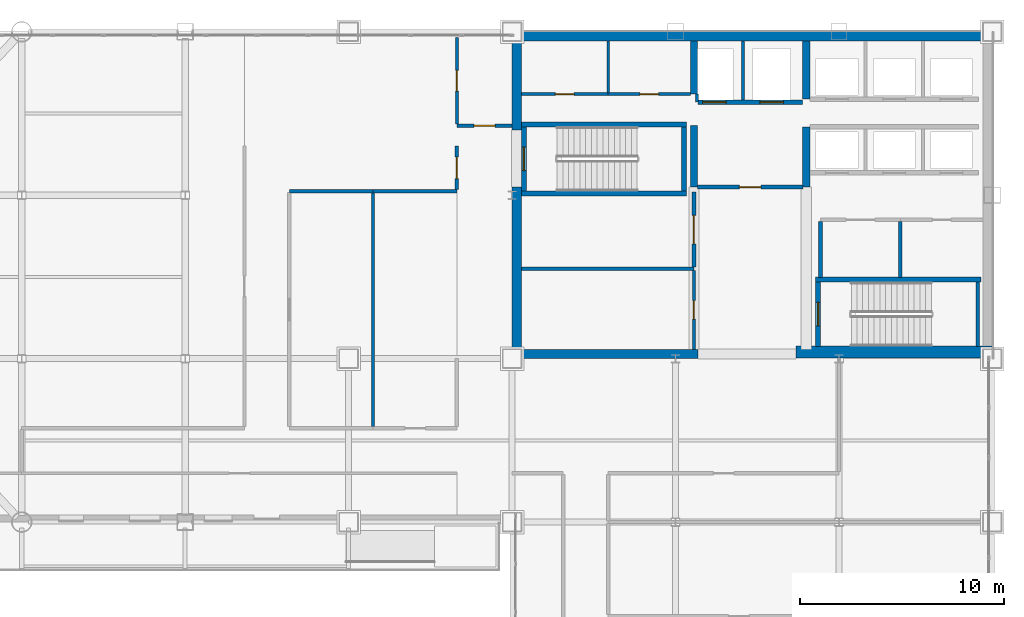
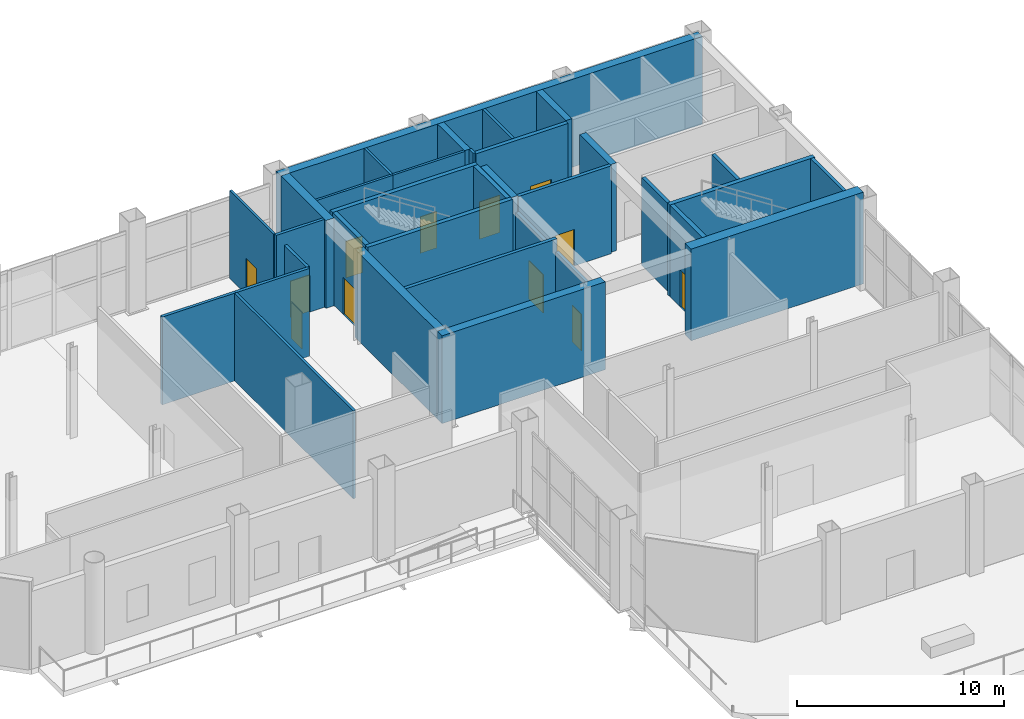
# One storey, part 18 of 21: 34 walls, 12 doors, 12 openings.
"""IFC4 building model written with IfcOpenShell, lengths in metres."""

from ifc_helpers import new_model, si_unit, direction, frame, frame_2d, origin, place, context, subcontext, project, spatial, rectangle, extrude, material, layer, layer_set, type_object, element, fill, save


model = new_model("IFC4")

# Units and contexts
model_context = context("Model", 3, precision=1e-05, world=origin(), true_north=direction((0.0, 1.0)))
body_context = subcontext(model_context, "Body", "Model", "MODEL_VIEW")
ifc_project = project(units=[si_unit("LENGTHUNIT", "METRE"), si_unit("AREAUNIT", "SQUARE_METRE"), si_unit("VOLUMEUNIT", "CUBIC_METRE"), si_unit("PLANEANGLEUNIT", "RADIAN"), si_unit("MASSUNIT", "GRAM", prefix="KILO")], contexts=[model_context])

# Site, building, storey
site_placement = place(None, origin())
site = spatial("IfcSite", under=ifc_project, at=site_placement, CompositionType="ELEMENT")
building_placement = place(site_placement, origin())
building = spatial("IfcBuilding", under=site, at=building_placement, Name="Qianrong Seaharbour Tower", CompositionType="ELEMENT")
storey_placement = place(building_placement, frame((0.0, 0.0, 200.39990234375)))
storey = spatial("IfcBuildingStorey", under=building, at=storey_placement, Name="L48", CompositionType="ELEMENT", Elevation=200.39990234375)

# Walls
ifc_material_1 = material(Name="Concrete C60/75", Category="concrete")
ifc_layer_1 = layer(ifc_material_1, 0.4599609375)
ifc_layer_set_1 = layer_set([ifc_layer_1], Name="Concrete C60/75")
wall_type_1 = type_object("IfcWallType", Name="WALL-CORE-460", PredefinedType="SHEAR", material=ifc_layer_set_1)
wall_1_placement = place(storey_placement, frame((40.5, 51.77001953125, 0.0), z_axis=(0.0, 0.0, 1.0), x_axis=(1.0, 0.0, 0.0)))
element("IfcWall", 1, at=wall_1_placement, inside=storey, type_object=wall_type_1, Name="L48 North Core Shear Wall", PredefinedType="SHEAR", context=body_context, shape_type="SweptSolid", body=[
    extrude(rectangle(XDim=23.5, YDim=0.4599609375, at=frame_2d((11.75, 0.0))), origin(), (0.0, 0.0, 1.0), 5.175048828125),
])
wall_2_placement = place(storey_placement, frame((40.72998046875, 36.4599609375, 0.0), z_axis=(0.0, 0.0, 1.0), x_axis=(0.0, 1.0, 0.0)))
element("IfcWall", 2, at=wall_2_placement, inside=storey, type_object=wall_type_1, Name="L48 West Core Shear Wall South", PredefinedType="SHEAR", context=body_context, shape_type="SweptSolid", body=[
    extrude(rectangle(XDim=7.93994140625, YDim=0.4599609375, at=frame_2d((3.969970703125, 0.0))), origin(), (0.0, 0.0, 1.0), 5.175048828125),
])
wall_3_placement = place(storey_placement, frame((40.72998046875, 47.199951171875, 0.0), z_axis=(0.0, 0.0, 1.0), x_axis=(0.0, 1.0, 0.0)))
element("IfcWall", 3, at=wall_3_placement, inside=storey, type_object=wall_type_1, Name="L48 West Core Shear Wall North", PredefinedType="SHEAR", context=body_context, shape_type="SweptSolid", body=[
    extrude(rectangle(XDim=4.340087890625, YDim=0.4599609375, at=frame_2d((2.169921875, 0.0))), origin(), (0.0, 0.0, 1.0), 5.175048828125),
])
wall_4_placement = place(storey_placement, frame((40.5, 36.22998046875, 0.0), z_axis=(0.0, 0.0, 1.0), x_axis=(1.0, 0.0, 0.0)))
element("IfcWall", 4, at=wall_4_placement, inside=storey, type_object=wall_type_1, Name="L48 South Core Shear Wall S1", PredefinedType="SHEAR", context=body_context, shape_type="SweptSolid", body=[
    extrude(rectangle(XDim=9.10009765625, YDim=0.4599609375, at=frame_2d((4.550048828125, 0.0))), origin(), (0.0, 0.0, 1.0), 5.175048828125),
])
ifc_material_2 = material(Name="Concrete C70/85", Category="concrete")
ifc_layer_2 = layer(ifc_material_2, 0.580078125)
ifc_layer_set_2 = layer_set([ifc_layer_2], Name="Concrete C70/85")
wall_type_2 = type_object("IfcWallType", Name="WALL-CORE-580", PredefinedType="SHEAR", material=ifc_layer_set_2)
wall_5_placement = place(storey_placement, frame((54.39990234375, 36.320068359375, 0.0), z_axis=(0.0, 0.0, 1.0), x_axis=(1.0, 0.0, 0.0)))
element("IfcWall", 5, at=wall_5_placement, inside=storey, type_object=wall_type_2, Name="L48 South Core Shear Wall S3", PredefinedType="SHEAR", context=body_context, shape_type="SweptSolid", body=[
    extrude(rectangle(XDim=9.60009765625, YDim=0.580078125, at=frame_2d((4.800048828125, 0.0))), origin(), (0.0, 0.0, 1.0), 5.400146484375),
])
ifc_material_3 = material(Name="Concrete C50/60", Category="concrete")
ifc_layer_3 = layer(ifc_material_3, 0.35009765625)
ifc_layer_set_3 = layer_set([ifc_layer_3], Name="Concrete C50/60")
wall_type_3 = type_object("IfcWallType", Name="WALL-CORE-INT-350", PredefinedType="SHEAR", material=ifc_layer_set_3)
wall_6_placement = place(storey_placement, frame((49.39990234375, 44.39990234375, 0.0), z_axis=(0.0, 0.0, 1.0), x_axis=(0.0, 1.0, 0.0)))
element("IfcWall", 6, at=wall_6_placement, inside=storey, type_object=wall_type_3, Name="L48 Internal Core Shear Wall IW1N1", PredefinedType="SHEAR", context=body_context, shape_type="SweptSolid", body=[
    extrude(rectangle(XDim=3.0, YDim=0.35009765625, at=frame_2d((1.5, 0.0))), origin(), (0.0, 0.0, 1.0), 5.175048828125),
])
wall_7_placement = place(storey_placement, frame((49.39990234375, 48.949951171875, 0.0), z_axis=(0.0, 0.0, 1.0), x_axis=(0.0, 1.0, 0.0)))
element("IfcWall", 7, at=wall_7_placement, inside=storey, type_object=wall_type_3, Name="L48 Internal Core Shear Wall IW1N2", PredefinedType="SHEAR", context=body_context, shape_type="SweptSolid", body=[
    extrude(rectangle(XDim=2.590087890625, YDim=0.35009765625, at=frame_2d((1.294921875, 0.0))), origin(), (0.0, 0.0, 1.0), 5.175048828125),
])
wall_8_placement = place(storey_placement, frame((54.89990234375, 44.39990234375, 0.0), z_axis=(0.0, 0.0, 1.0), x_axis=(0.0, 1.0, 0.0)))
element("IfcWall", 8, at=wall_8_placement, inside=storey, type_object=wall_type_3, Name="L48 Internal Core Shear Wall IW2N1", PredefinedType="SHEAR", context=body_context, shape_type="SweptSolid", body=[
    extrude(rectangle(XDim=2.9501953125, YDim=0.35009765625, at=frame_2d((1.47509765625, 0.0))), origin(), (0.0, 0.0, 1.0), 5.175048828125),
])
wall_9_placement = place(storey_placement, frame((54.89990234375, 48.699951171875, 0.0), z_axis=(0.0, 0.0, 1.0), x_axis=(0.0, 1.0, 0.0)))
element("IfcWall", 9, at=wall_9_placement, inside=storey, type_object=wall_type_3, Name="L48 Internal Core Shear Wall IW2N2", PredefinedType="SHEAR", context=body_context, shape_type="SweptSolid", body=[
    extrude(rectangle(XDim=2.840087890625, YDim=0.35009765625, at=frame_2d((1.419921875, 0.0))), origin(), (0.0, 0.0, 1.0), 5.175048828125),
])

# Wall, opening, door
ifc_material_4 = material(Name="Fire-rated acoustic gypsum board partition")
ifc_layer_4 = layer(ifc_material_4, 0.1650390625)
ifc_layer_set_4 = layer_set([ifc_layer_4], Name="Fire-rated acoustic gypsum board partition")
wall_type_4 = type_object("IfcWallType", Name="WALL-CORR-PART-165", PredefinedType="PARTITIONING", material=ifc_layer_set_4)
wall_10_placement = place(storey_placement, frame((37.800048828125, 47.39990234375, 0.0), z_axis=(0.0, 0.0, 1.0), x_axis=(1.0, 0.0, 0.0)))
wall_10 = element("IfcWall", 10, at=wall_10_placement, inside=storey, type_object=wall_type_4, Name="L48 Interior Partition Wall 001", PredefinedType="PARTITIONING", context=body_context, shape_type="SweptSolid", body=[
    extrude(rectangle(XDim=2.699951171875, YDim=0.1650390625, at=frame_2d((1.35009765625, 0.0))), origin(), (0.0, 0.0, 1.0), 5.175048828125),
])
opening_1_placement = place(wall_10_placement, frame((0.824951171875, 0.0, 0.0)))
opening_1 = element("IfcOpeningElement", 11, at=opening_1_placement, cuts=wall_10, Name="Opening DC-01", PredefinedType="OPENING", context=body_context, shape_type="SweptSolid", body=[
    extrude(rectangle(XDim=1.050048828125, YDim=2.14990234375, at=frame_2d((0.52490234375, 1.074951171875))), frame((0.0, 0.092529296875, 0.0), z_axis=(0.0, -1.0, 0.0), x_axis=(1.0, 0.0, 0.0)), (0.0, 0.0, 1.0), 0.18505859375),
])
ifc_material_5 = material(Name="Acoustic timber and galvanized steel fire door assembly", Category="steel")
door_type_1 = type_object("IfcDoorType", Name="DOOR-CORR-FD60-1050x2150", OperationType="NOTDEFINED", PredefinedType="DOOR", material=ifc_material_5)
door_1_placement = place(opening_1_placement, origin())
door_1 = element("IfcDoor", 12, at=door_1_placement, inside=storey, type_object=door_type_1, Name="L48 Smokeproof Stair Vestibule ST-1 Door", OperationType="SINGLE_SWING_RIGHT", OverallHeight=2.14990234375, OverallWidth=1.050048828125, PredefinedType="DOOR", context=body_context, shape_type="SweptSolid", body=[
    extrude(rectangle(XDim=1.050048828125, YDim=2.14990234375, at=frame_2d((0.52490234375, 1.074951171875))), frame((0.0, 0.02490234375, 0.0), z_axis=(0.0, -1.0, 0.0), x_axis=(1.0, 0.0, 0.0)), (0.0, 0.0, 1.0), 0.050048828125),
])
fill(opening_1, door_1)

wall_11_placement = place(storey_placement, frame((37.800048828125, 44.2744140625, 0.0), z_axis=(0.0, 0.0, 1.0), x_axis=(0.0, 1.0, 0.0)))
wall_11 = element("IfcWall", 13, at=wall_11_placement, inside=storey, type_object=wall_type_4, Name="L48 Interior Partition Wall 002", PredefinedType="PARTITIONING", context=body_context, shape_type="SweptSolid", body=[
    extrude(rectangle(XDim=2.12548828125, YDim=0.1650390625, at=frame_2d((1.062744140625, 0.0))), origin(), (0.0, 0.0, 1.0), 5.175048828125),
])
opening_2_placement = place(wall_11_placement, frame((0.537841796875, 0.0, 0.0)))
opening_2 = element("IfcOpeningElement", 14, at=opening_2_placement, cuts=wall_11, Name="Opening DC-01", PredefinedType="OPENING", context=body_context, shape_type="SweptSolid", body=[
    extrude(rectangle(XDim=1.050048828125, YDim=2.14990234375, at=frame_2d((0.52490234375, 1.074951171875))), frame((0.0, 0.092529296875, 0.0), z_axis=(0.0, -1.0, 0.0), x_axis=(1.0, 0.0, 0.0)), (0.0, 0.0, 1.0), 0.18505859375),
])
door_2_placement = place(opening_2_placement, origin())
door_2 = element("IfcDoor", 15, at=door_2_placement, inside=storey, type_object=door_type_1, Name="L48 Smokeproof Stair Vestibule ST-1 Door", OperationType="SINGLE_SWING_LEFT", OverallHeight=2.14990234375, OverallWidth=1.050048828125, PredefinedType="DOOR", context=body_context, shape_type="SweptSolid", body=[
    extrude(rectangle(XDim=1.050048828125, YDim=2.14990234375, at=frame_2d((0.52490234375, 1.074951171875))), frame((0.0, 0.02490234375, 0.0), z_axis=(0.0, -1.0, 0.0), x_axis=(1.0, 0.0, 0.0)), (0.0, 0.0, 1.0), 0.050048828125),
])
fill(opening_2, door_2)

wall_12_placement = place(storey_placement, frame((49.39990234375, 36.4599609375, 0.0), z_axis=(0.0, 0.0, 1.0), x_axis=(0.0, 1.0, 0.0)))
wall_12 = element("IfcWall", 16, at=wall_12_placement, inside=storey, type_object=wall_type_4, Name="L48 Interior Partition Wall 007", PredefinedType="PARTITIONING", context=body_context, shape_type="SweptSolid", body=[
    extrude(rectangle(XDim=3.85302734375, YDim=0.1650390625, at=frame_2d((1.926513671875, 0.0))), origin(), (0.0, 0.0, 1.0), 4.4169921875),
])
opening_3_placement = place(wall_12_placement, frame((1.4765625, 0.0, 0.0)))
opening_3 = element("IfcOpeningElement", 17, at=opening_3_placement, cuts=wall_12, Name="Opening DS-01", PredefinedType="OPENING", context=body_context, shape_type="SweptSolid", body=[
    extrude(rectangle(XDim=0.89990234375, YDim=2.14990234375, at=frame_2d((0.449951171875, 1.074951171875))), frame((0.0, 0.092529296875, 0.0), z_axis=(0.0, -1.0, 0.0), x_axis=(1.0, 0.0, 0.0)), (0.0, 0.0, 1.0), 0.18505859375),
])
door_type_2 = type_object("IfcDoorType", Name="DOOR-STORE-900x2150", OperationType="NOTDEFINED", PredefinedType="DOOR", material=ifc_material_5)
door_3_placement = place(opening_3_placement, origin())
door_3 = element("IfcDoor", 18, at=door_3_placement, inside=storey, type_object=door_type_2, Name="L48 Corporate Archive Room Door", OperationType="SINGLE_SWING_RIGHT", OverallHeight=2.14990234375, OverallWidth=0.89990234375, PredefinedType="DOOR", context=body_context, shape_type="SweptSolid", body=[
    extrude(rectangle(XDim=0.89990234375, YDim=2.14990234375, at=frame_2d((0.449951171875, 1.074951171875))), frame((0.0, 0.02490234375, 0.0), z_axis=(0.0, -1.0, 0.0), x_axis=(1.0, 0.0, 0.0)), (0.0, 0.0, 1.0), 0.050048828125),
])
fill(opening_3, door_3)

# Walls
wall_13_placement = place(storey_placement, frame((33.699951171875, 44.199951171875, 0.0), z_axis=(0.0, 0.0, 1.0), x_axis=(-1.0, 0.0, 0.0)))
element("IfcWall", 19, at=wall_13_placement, inside=storey, type_object=wall_type_4, Name="L48 Interior Partition Wall 022", PredefinedType="PARTITIONING", context=body_context, shape_type="SweptSolid", body=[
    extrude(rectangle(XDim=4.099853515625, YDim=0.1650390625, at=frame_2d((2.0498046875, 0.0))), origin(), (0.0, 0.0, 1.0), 5.175048828125),
])
wall_14_placement = place(storey_placement, frame((37.800048828125, 44.199951171875, 0.0), z_axis=(0.0, 0.0, 1.0), x_axis=(-1.0, 0.0, 0.0)))
element("IfcWall", 20, at=wall_14_placement, inside=storey, type_object=wall_type_4, Name="L48 Interior Partition Wall 023", PredefinedType="PARTITIONING", context=body_context, shape_type="SweptSolid", body=[
    extrude(rectangle(XDim=4.10009765625, YDim=0.1650390625, at=frame_2d((2.050048828125, 0.0))), origin(), (0.0, 0.0, 1.0), 5.175048828125),
])

# Wall, opening, door
ifc_material_6 = material(Name="Double fire-rated gypsum board acoustic partition")
ifc_layer_5 = layer(ifc_material_6, 0.18994140625)
ifc_layer_set_5 = layer_set([ifc_layer_5], Name="Double fire-rated gypsum board acoustic partition")
wall_type_5 = type_object("IfcWallType", Name="WALL-FIRE-PART-190", PredefinedType="PARTITIONING", material=ifc_layer_set_5)
wall_15_placement = place(storey_placement, frame((54.73291015625, 44.39990234375, 0.0), z_axis=(0.0, 0.0, 1.0), x_axis=(-1.0, 0.0, 0.0)))
wall_15 = element("IfcWall", 21, at=wall_15_placement, inside=storey, type_object=wall_type_5, Name="L48 Interior Partition Wall 006", PredefinedType="PARTITIONING", context=body_context, shape_type="SweptSolid", body=[
    extrude(rectangle(XDim=5.166015625, YDim=0.18994140625, at=frame_2d((2.5830078125, 0.0))), origin(), (0.0, 0.0, 1.0), 5.175048828125),
])
opening_4_placement = place(wall_15_placement, frame((2.05810546875, 0.0, 0.0)))
opening_4 = element("IfcOpeningElement", 22, at=opening_4_placement, cuts=wall_15, Name="Opening DC-01", PredefinedType="OPENING", context=body_context, shape_type="SweptSolid", body=[
    extrude(rectangle(XDim=1.050048828125, YDim=2.14990234375, at=frame_2d((0.52490234375, 1.074951171875))), frame((0.0, 0.10498046875, 0.0), z_axis=(0.0, -1.0, 0.0), x_axis=(1.0, 0.0, 0.0)), (0.0, 0.0, 1.0), 0.2099609375),
])
door_4_placement = place(opening_4_placement, origin())
door_4 = element("IfcDoor", 23, at=door_4_placement, inside=storey, type_object=door_type_1, Name="L48 Firefighting Lift Lobby Door", OperationType="SINGLE_SWING_LEFT", OverallHeight=2.14990234375, OverallWidth=1.050048828125, PredefinedType="DOOR", context=body_context, shape_type="SweptSolid", body=[
    extrude(rectangle(XDim=1.050048828125, YDim=2.14990234375, at=frame_2d((0.52490234375, 1.074951171875))), frame((0.0, 0.02490234375, 0.0), z_axis=(0.0, -1.0, 0.0), x_axis=(1.0, 0.0, 0.0)), (0.0, 0.0, 1.0), 0.050048828125),
])
fill(opening_4, door_4)

wall_16_placement = place(storey_placement, frame((49.39990234375, 40.487060546875, 0.0), z_axis=(0.0, 0.0, 1.0), x_axis=(0.0, 1.0, 0.0)))
wall_16 = element("IfcWall", 24, at=wall_16_placement, inside=storey, type_object=wall_type_5, Name="L48 Interior Partition Wall 008", PredefinedType="PARTITIONING", context=body_context, shape_type="SweptSolid", body=[
    extrude(rectangle(XDim=3.662841796875, YDim=0.18994140625, at=frame_2d((1.83154296875, 0.0))), origin(), (0.0, 0.0, 1.0), 4.4169921875),
])
opening_5_placement = place(wall_16_placement, frame((1.131591796875, 0.0, 0.0)))
opening_5 = element("IfcOpeningElement", 25, at=opening_5_placement, cuts=wall_16, Name="Opening DP-01", PredefinedType="OPENING", context=body_context, shape_type="SweptSolid", body=[
    extrude(rectangle(XDim=1.39990234375, YDim=2.25, at=frame_2d((0.699951171875, 1.125))), frame((0.0, 0.10498046875, 0.0), z_axis=(0.0, -1.0, 0.0), x_axis=(1.0, 0.0, 0.0)), (0.0, 0.0, 1.0), 0.2099609375),
])
door_type_3 = type_object("IfcDoorType", Name="DOOR-PLANT-PAIR-1400x2250", OperationType="DOUBLE_DOOR_SINGLE_SWING", PredefinedType="DOOR", material=ifc_material_5)
door_5_placement = place(opening_5_placement, origin())
door_5 = element("IfcDoor", 26, at=door_5_placement, inside=storey, type_object=door_type_3, Name="L48 Telecom Server Room Door", OperationType="DOUBLE_DOOR_SINGLE_SWING", OverallHeight=2.25, OverallWidth=1.39990234375, PredefinedType="DOOR", context=body_context, shape_type="SweptSolid", body=[
    extrude(rectangle(XDim=1.39990234375, YDim=2.25, at=frame_2d((0.699951171875, 1.125))), frame((0.0, 0.02490234375, 0.0), z_axis=(0.0, -1.0, 0.0), x_axis=(1.0, 0.0, 0.0)), (0.0, 0.0, 1.0), 0.050048828125),
])
fill(opening_5, door_5)

# Walls
wall_17_placement = place(storey_placement, frame((55.60009765625, 42.712890625, 0.0), z_axis=(0.0, 0.0, 1.0), x_axis=(0.0, -1.0, 0.0)))
element("IfcWall", 27, at=wall_17_placement, inside=storey, type_object=wall_type_5, Name="L48 Interior Partition Wall 009", PredefinedType="PARTITIONING", context=body_context, shape_type="SweptSolid", body=[
    extrude(rectangle(XDim=2.73095703125, YDim=0.18994140625, at=frame_2d((1.365478515625, 0.0))), origin(), (0.0, 0.0, 1.0), 5.175048828125),
])
wall_18_placement = place(storey_placement, frame((40.9599609375, 40.39990234375, 0.0), z_axis=(0.0, 0.0, 1.0), x_axis=(1.0, 0.0, 0.0)))
element("IfcWall", 28, at=wall_18_placement, inside=storey, type_object=wall_type_5, Name="L48 Interior Partition Wall 010", PredefinedType="PARTITIONING", context=body_context, shape_type="SweptSolid", body=[
    extrude(rectangle(XDim=8.43994140625, YDim=0.18994140625, at=frame_2d((4.219970703125, 0.0))), origin(), (0.0, 0.0, 1.0), 5.175048828125),
])
wall_19_placement = place(storey_placement, frame((59.5, 42.712890625, 0.0), z_axis=(0.0, 0.0, 1.0), x_axis=(0.0, -1.0, 0.0)))
element("IfcWall", 29, at=wall_19_placement, inside=storey, type_object=wall_type_5, Name="L48 Interior Partition Wall 014", PredefinedType="PARTITIONING", context=body_context, shape_type="SweptSolid", body=[
    extrude(rectangle(XDim=2.73095703125, YDim=0.18994140625, at=frame_2d((1.365478515625, 0.0))), origin(), (0.0, 0.0, 1.0), 5.175048828125),
])
ifc_material_7 = material(Name="Acoustic gypsum board stud partition")
ifc_layer_6 = layer(ifc_material_7, 0.14501953125)
ifc_layer_set_6 = layer_set([ifc_layer_6], Name="Acoustic gypsum board stud partition")
wall_type_6 = type_object("IfcWallType", Name="WALL-OFFICE-PART-145", PredefinedType="PARTITIONING", material=ifc_layer_set_6)
wall_20_placement = place(storey_placement, frame((33.699951171875, 44.12548828125, 0.0), z_axis=(0.0, 0.0, 1.0), x_axis=(0.0, -1.0, 0.0)))
element("IfcWall", 30, at=wall_20_placement, inside=storey, type_object=wall_type_6, Name="L48 Interior Partition Wall 036", PredefinedType="PARTITIONING", context=body_context, shape_type="SweptSolid", body=[
    extrude(rectangle(XDim=11.450927734375, YDim=0.14501953125, at=frame_2d((5.7255859375, 0.0))), origin(), (0.0, 0.0, 1.0), 5.175048828125),
])
ifc_material_8 = material(Name="Fire-rated gypsum board on steel studs", Category="steel")
ifc_layer_7 = layer(ifc_material_8, 0.14990234375)
ifc_layer_set_7 = layer_set([ifc_layer_7], Name="Fire-rated gypsum board on steel studs")
wall_type_7 = type_object("IfcWallType", Name="WALL-SHAFT-DIV-150", PredefinedType="PARTITIONING", material=ifc_layer_set_7)
wall_21_placement = place(storey_placement, frame((51.800048828125, 48.669921875, 0.0), z_axis=(0.0, 0.0, 1.0), x_axis=(0.0, 1.0, 0.0)))
element("IfcWall", 31, at=wall_21_placement, inside=storey, type_object=wall_type_7, Name="L48 Firefighting Lift Shaft Divider Wall", PredefinedType="PARTITIONING", context=body_context, shape_type="SweptSolid", body=[
    extrude(rectangle(XDim=2.8701171875, YDim=0.14990234375, at=frame_2d((1.43505859375, 0.0))), origin(), (0.0, 0.0, 1.0), 5.175048828125),
])
wall_22_placement = place(storey_placement, frame((49.550048828125, 48.550048828125, 0.0), z_axis=(0.0, 0.0, 1.0), x_axis=(0.0, 1.0, 0.0)))
element("IfcWall", 32, at=wall_22_placement, inside=storey, type_object=wall_type_7, Name="L48 Firefighting Lift Shaft West Return Wall", PredefinedType="PARTITIONING", context=body_context, shape_type="SweptSolid", body=[
    extrude(rectangle(XDim=0.39990234375, YDim=0.14990234375, at=frame_2d((0.199951171875, 0.0))), origin(), (0.0, 0.0, 1.0), 5.175048828125),
])

# Wall, openings, doors
ifc_layer_8 = layer(ifc_material_8, 0.219970703125)
ifc_layer_set_8 = layer_set([ifc_layer_8], Name="Fire-rated gypsum board on steel studs")
wall_type_8 = type_object("IfcWallType", Name="WALL-SHAFT-GYP220", PredefinedType="PARTITIONING", material=ifc_layer_set_8)
wall_23_placement = place(storey_placement, frame((54.7099609375, 48.550048828125, 0.0), z_axis=(0.0, 0.0, 1.0), x_axis=(-1.0, 0.0, 0.0)))
wall_23 = element("IfcWall", 33, at=wall_23_placement, inside=storey, type_object=wall_type_8, Name="L48 Firefighting Lift Shaft Front Wall", PredefinedType="PARTITIONING", context=body_context, shape_type="SweptSolid", body=[
    extrude(rectangle(XDim=5.119873046875, YDim=0.219970703125, at=frame_2d((2.56005859375, 0.0))), origin(), (0.0, 0.0, 1.0), 5.175048828125),
])
opening_6_placement = place(wall_23_placement, frame((3.735107421875, 0.0, 0.0)))
opening_6 = element("IfcOpeningElement", 34, at=opening_6_placement, cuts=wall_23, Name="Opening LD-01", PredefinedType="OPENING", context=body_context, shape_type="SweptSolid", body=[
    extrude(rectangle(XDim=1.14990234375, YDim=2.199951171875, at=frame_2d((0.574951171875, 1.10009765625))), frame((0.0, 0.1201171875, 0.0), z_axis=(0.0, -1.0, 0.0), x_axis=(1.0, 0.0, 0.0)), (0.0, 0.0, 1.0), 0.239990234375),
])
opening_7_placement = place(wall_23_placement, frame((0.93505859375, 0.0, 0.0)))
opening_7 = element("IfcOpeningElement", 35, at=opening_7_placement, cuts=wall_23, Name="Opening LD-01", PredefinedType="OPENING", context=body_context, shape_type="SweptSolid", body=[
    extrude(rectangle(XDim=1.14990234375, YDim=2.199951171875, at=frame_2d((0.574951171875, 1.10009765625))), frame((0.0, 0.1201171875, 0.0), z_axis=(0.0, -1.0, 0.0), x_axis=(1.0, 0.0, 0.0)), (0.0, 0.0, 1.0), 0.239990234375),
])
ifc_material_9 = material(Name="Stainless steel SUS316L bi-parting lift landing door", Category="steel")
door_type_4 = type_object("IfcDoorType", Name="DOOR-LIFT-FF-1150x2200", OperationType="DOUBLE_DOOR_SLIDING", PredefinedType="DOOR", material=ifc_material_9)
door_6_placement = place(opening_6_placement, origin())
door_6 = element("IfcDoor", 36, at=door_6_placement, inside=storey, type_object=door_type_4, Name="L48 FL-1 Firefighting Lift Landing Door", OperationType="DOUBLE_DOOR_SLIDING", OverallHeight=2.199951171875, OverallWidth=1.14990234375, PredefinedType="DOOR", context=body_context, shape_type="SweptSolid", body=[
    extrude(rectangle(XDim=1.14990234375, YDim=2.199951171875, at=frame_2d((0.574951171875, 1.10009765625))), frame((0.0, 0.02490234375, 0.0), z_axis=(0.0, -1.0, 0.0), x_axis=(1.0, 0.0, 0.0)), (0.0, 0.0, 1.0), 0.050048828125),
])
fill(opening_6, door_6)
door_7_placement = place(opening_7_placement, origin())
door_7 = element("IfcDoor", 37, at=door_7_placement, inside=storey, type_object=door_type_4, Name="L48 FL-2 Firefighting Lift Landing Door", OperationType="DOUBLE_DOOR_SLIDING", OverallHeight=2.199951171875, OverallWidth=1.14990234375, PredefinedType="DOOR", context=body_context, shape_type="SweptSolid", body=[
    extrude(rectangle(XDim=1.14990234375, YDim=2.199951171875, at=frame_2d((0.574951171875, 1.10009765625))), frame((0.0, 0.02490234375, 0.0), z_axis=(0.0, -1.0, 0.0), x_axis=(1.0, 0.0, 0.0)), (0.0, 0.0, 1.0), 0.050048828125),
])
fill(opening_7, door_7)

# Walls
ifc_layer_9 = layer(ifc_material_3, 0.239990234375)
ifc_layer_set_9 = layer_set([ifc_layer_9], Name="Concrete C50/60")
wall_type_9 = type_object("IfcWallType", Name="WALL-SHAFT-RC240", PredefinedType="SOLIDWALL", material=ifc_layer_set_9)
for number, where, z_axis, x_axis, name in (
    (38, (40.9599609375, 47.469970703125, 0.0), (0.0, 0.0, 1.0), (1.0, 0.0, 0.0), "L48 ST-1 Structural Stair Core Wall N"),
    (39, (49.0400390625, 44.080078125, 0.0), (0.0, 0.0, 1.0), (-1.0, 0.0, 0.0), "L48 ST-1 Structural Stair Core Wall S"),
):
    element("IfcWall", number, at=place(storey_placement, frame(where, z_axis=z_axis, x_axis=x_axis)), inside=storey, type_object=wall_type_9, Name=name, PredefinedType="SOLIDWALL", context=body_context, shape_type="SweptSolid", body=[
        extrude(rectangle(XDim=8.080078125, YDim=0.239990234375, at=frame_2d((4.0400390625, 0.0))), origin(), (0.0, 0.0, 1.0), 5.400146484375),
    ])

# Wall, opening, door
wall_24_placement = place(storey_placement, frame((41.080078125, 47.35009765625, 0.0), z_axis=(0.0, 0.0, 1.0), x_axis=(0.0, -1.0, 0.0)))
wall_24 = element("IfcWall", 40, at=wall_24_placement, inside=storey, type_object=wall_type_9, Name="L48 ST-1 Structural Stair Core Wall W", PredefinedType="SOLIDWALL", context=body_context, shape_type="SweptSolid", body=[
    extrude(rectangle(XDim=3.150146484375, YDim=0.239990234375, at=frame_2d((1.5751953125, 0.0))), origin(), (0.0, 0.0, 1.0), 5.400146484375),
])
opening_8_placement = place(wall_24_placement, frame((1.0, 0.0, 0.0)))
opening_8 = element("IfcOpeningElement", 41, at=opening_8_placement, cuts=wall_24, Name="Opening SD-01", PredefinedType="OPENING", context=body_context, shape_type="SweptSolid", body=[
    extrude(rectangle(XDim=1.14990234375, YDim=2.199951171875, at=frame_2d((0.574951171875, 1.10009765625))), frame((0.0, 0.1298828125, 0.0), z_axis=(0.0, -1.0, 0.0), x_axis=(1.0, 0.0, 0.0)), (0.0, 0.0, 1.0), 0.260009765625),
])
door_type_5 = type_object("IfcDoorType", Name="DOOR-STAIR-FD60-1150x2200", OperationType="NOTDEFINED", PredefinedType="DOOR", material=ifc_material_5)
door_8_placement = place(opening_8_placement, origin())
door_8 = element("IfcDoor", 42, at=door_8_placement, inside=storey, type_object=door_type_5, Name="L48 ST-1 Protected Stair Door", OperationType="SINGLE_SWING_LEFT", OverallHeight=2.199951171875, OverallWidth=1.14990234375, PredefinedType="DOOR", context=body_context, shape_type="SweptSolid", body=[
    extrude(rectangle(XDim=1.14990234375, YDim=2.199951171875, at=frame_2d((0.574951171875, 1.10009765625))), frame((0.0, 0.02490234375, 0.0), z_axis=(0.0, -1.0, 0.0), x_axis=(1.0, 0.0, 0.0)), (0.0, 0.0, 1.0), 0.050048828125),
])
fill(opening_8, door_8)

# Walls
wall_25_placement = place(storey_placement, frame((48.919921875, 44.199951171875, 0.0), z_axis=(0.0, 0.0, 1.0), x_axis=(0.0, 1.0, 0.0)))
element("IfcWall", 43, at=wall_25_placement, inside=storey, type_object=wall_type_9, Name="L48 ST-1 Structural Stair Core Wall E", PredefinedType="SOLIDWALL", context=body_context, shape_type="SweptSolid", body=[
    extrude(rectangle(XDim=3.150146484375, YDim=0.239990234375, at=frame_2d((1.5751953125, 0.0))), origin(), (0.0, 0.0, 1.0), 5.400146484375),
])
wall_26_placement = place(storey_placement, frame((55.360107421875, 39.8701171875, 0.0), z_axis=(0.0, 0.0, 1.0), x_axis=(1.0, 0.0, 0.0)))
element("IfcWall", 44, at=wall_26_placement, inside=storey, type_object=wall_type_9, Name="L48 ST-2 Structural Stair Core Wall N", PredefinedType="SOLIDWALL", context=body_context, shape_type="SweptSolid", body=[
    extrude(rectangle(XDim=8.079833984375, YDim=0.239990234375, at=frame_2d((4.0400390625, 0.0))), origin(), (0.0, 0.0, 1.0), 5.400146484375),
])

# Wall, opening, door
wall_27_placement = place(storey_placement, frame((55.47998046875, 39.75, 0.0), z_axis=(0.0, 0.0, 1.0), x_axis=(0.0, -1.0, 0.0)))
wall_27 = element("IfcWall", 45, at=wall_27_placement, inside=storey, type_object=wall_type_9, Name="L48 ST-2 Structural Stair Core Wall W", PredefinedType="SOLIDWALL", context=body_context, shape_type="SweptSolid", body=[
    extrude(rectangle(XDim=3.14990234375, YDim=0.239990234375, at=frame_2d((1.574951171875, 0.0))), origin(), (0.0, 0.0, 1.0), 5.400146484375),
])
opening_9_placement = place(wall_27_placement, frame((1.0, 0.0, 0.0)))
opening_9 = element("IfcOpeningElement", 46, at=opening_9_placement, cuts=wall_27, Name="Opening SD-01", PredefinedType="OPENING", context=body_context, shape_type="SweptSolid", body=[
    extrude(rectangle(XDim=1.14990234375, YDim=2.199951171875, at=frame_2d((0.574951171875, 1.10009765625))), frame((0.0, 0.1298828125, 0.0), z_axis=(0.0, -1.0, 0.0), x_axis=(1.0, 0.0, 0.0)), (0.0, 0.0, 1.0), 0.260009765625),
])
door_9_placement = place(opening_9_placement, origin())
door_9 = element("IfcDoor", 47, at=door_9_placement, inside=storey, type_object=door_type_5, Name="L48 ST-2 Protected Stair Door", OperationType="SINGLE_SWING_LEFT", OverallHeight=2.199951171875, OverallWidth=1.14990234375, PredefinedType="DOOR", context=body_context, shape_type="SweptSolid", body=[
    extrude(rectangle(XDim=1.14990234375, YDim=2.199951171875, at=frame_2d((0.574951171875, 1.10009765625))), frame((0.0, 0.02490234375, 0.0), z_axis=(0.0, -1.0, 0.0), x_axis=(1.0, 0.0, 0.0)), (0.0, 0.0, 1.0), 0.050048828125),
])
fill(opening_9, door_9)

# Wall
wall_28_placement = place(storey_placement, frame((63.2900390625, 36.60009765625, 0.0), z_axis=(0.0, 0.0, 1.0), x_axis=(0.0, 1.0, 0.0)))
element("IfcWall", 48, at=wall_28_placement, inside=storey, type_object=wall_type_9, Name="L48 ST-2 Structural Stair Core Wall E", PredefinedType="SOLIDWALL", context=body_context, shape_type="SweptSolid", body=[
    extrude(rectangle(XDim=3.14990234375, YDim=0.179931640625, at=frame_2d((1.574951171875, 0.0))), origin(), (0.0, 0.0, 1.0), 5.400146484375),
])

# Wall, opening, door
ifc_material_10 = material(Name="Water-resistant cement board sanitary partition")
ifc_layer_10 = layer(ifc_material_10, 0.1298828125)
ifc_layer_set_10 = layer_set([ifc_layer_10], Name="Water-resistant cement board sanitary partition")
wall_type_10 = type_object("IfcWallType", Name="WALL-WET-PART-130", PredefinedType="PARTITIONING", material=ifc_layer_set_10)
wall_29_placement = place(storey_placement, frame((37.800048828125, 47.474609375, 0.0), z_axis=(0.0, 0.0, 1.0), x_axis=(0.0, 1.0, 0.0)))
wall_29 = element("IfcWall", 49, at=wall_29_placement, inside=storey, type_object=wall_type_10, Name="L48 Interior Partition Wall 003", PredefinedType="PARTITIONING", context=body_context, shape_type="SweptSolid", body=[
    extrude(rectangle(XDim=4.25341796875, YDim=0.1298828125, at=frame_2d((2.126708984375, 0.0))), origin(), (0.0, 0.0, 1.0), 5.175048828125),
])
opening_10_placement = place(wall_29_placement, frame((1.61669921875, 0.0, 0.0)))
opening_10 = element("IfcOpeningElement", 50, at=opening_10_placement, cuts=wall_29, Name="Opening DAW-01", PredefinedType="OPENING", context=body_context, shape_type="SweptSolid", body=[
    extrude(rectangle(XDim=1.02001953125, YDim=2.14990234375, at=frame_2d((0.510009765625, 1.074951171875))), frame((0.0, 0.074951171875, 0.0), z_axis=(0.0, -1.0, 0.0), x_axis=(1.0, 0.0, 0.0)), (0.0, 0.0, 1.0), 0.14990234375),
])
door_type_6 = type_object("IfcDoorType", Name="DOOR-AWC-SLIDE-1020x2150", OperationType="SLIDING_TO_LEFT", PredefinedType="DOOR", material=ifc_material_5)
door_10_placement = place(opening_10_placement, origin())
door_10 = element("IfcDoor", 51, at=door_10_placement, inside=storey, type_object=door_type_6, Name="L48 Accessible Restroom WC Door", OperationType="SLIDING_TO_LEFT", OverallHeight=2.14990234375, OverallWidth=1.02001953125, PredefinedType="DOOR", context=body_context, shape_type="SweptSolid", body=[
    extrude(rectangle(XDim=1.02001953125, YDim=2.14990234375, at=frame_2d((0.510009765625, 1.074951171875))), frame((0.0, 0.02490234375, 0.0), z_axis=(0.0, -1.0, 0.0), x_axis=(1.0, 0.0, 0.0)), (0.0, 0.0, 1.0), 0.050048828125),
])
fill(opening_10, door_10)

wall_30_placement = place(storey_placement, frame((40.9599609375, 48.949951171875, 0.0), z_axis=(0.0, 0.0, 1.0), x_axis=(1.0, 0.0, 0.0)))
wall_30 = element("IfcWall", 52, at=wall_30_placement, inside=storey, type_object=wall_type_10, Name="L48 Interior Partition Wall 004", PredefinedType="PARTITIONING", context=body_context, shape_type="SweptSolid", body=[
    extrude(rectangle(XDim=4.239990234375, YDim=0.1298828125, at=frame_2d((2.1201171875, 0.0))), origin(), (0.0, 0.0, 1.0), 5.175048828125),
])
opening_11_placement = place(wall_30_placement, frame((1.659912109375, 0.0, 0.0)))
opening_11 = element("IfcOpeningElement", 53, at=opening_11_placement, cuts=wall_30, Name="Opening DW-01", PredefinedType="OPENING", context=body_context, shape_type="SweptSolid", body=[
    extrude(rectangle(XDim=0.919921875, YDim=2.14990234375, at=frame_2d((0.4599609375, 1.074951171875))), frame((0.0, 0.074951171875, 0.0), z_axis=(0.0, -1.0, 0.0), x_axis=(1.0, 0.0, 0.0)), (0.0, 0.0, 1.0), 0.14990234375),
])
door_type_7 = type_object("IfcDoorType", Name="DOOR-WC-920x2150", OperationType="NOTDEFINED", PredefinedType="DOOR", material=ifc_material_5)
door_11_placement = place(opening_11_placement, origin())
door_11 = element("IfcDoor", 54, at=door_11_placement, inside=storey, type_object=door_type_7, Name="L48 Male Restroom WC Door", OperationType="SINGLE_SWING_LEFT", OverallHeight=2.14990234375, OverallWidth=0.919921875, PredefinedType="DOOR", context=body_context, shape_type="SweptSolid", body=[
    extrude(rectangle(XDim=0.919921875, YDim=2.14990234375, at=frame_2d((0.4599609375, 1.074951171875))), frame((0.0, 0.02490234375, 0.0), z_axis=(0.0, -1.0, 0.0), x_axis=(1.0, 0.0, 0.0)), (0.0, 0.0, 1.0), 0.050048828125),
])
fill(opening_11, door_11)

wall_31_placement = place(storey_placement, frame((45.199951171875, 48.949951171875, 0.0), z_axis=(0.0, 0.0, 1.0), x_axis=(1.0, 0.0, 0.0)))
wall_31 = element("IfcWall", 55, at=wall_31_placement, inside=storey, type_object=wall_type_10, Name="L48 Interior Partition Wall 005", PredefinedType="PARTITIONING", context=body_context, shape_type="SweptSolid", body=[
    extrude(rectangle(XDim=4.032958984375, YDim=0.1298828125, at=frame_2d((2.0166015625, 0.0))), origin(), (0.0, 0.0, 1.0), 5.175048828125),
])
opening_12_placement = place(wall_31_placement, frame((1.556396484375, 0.0, 0.0)))
opening_12 = element("IfcOpeningElement", 56, at=opening_12_placement, cuts=wall_31, Name="Opening DW-01", PredefinedType="OPENING", context=body_context, shape_type="SweptSolid", body=[
    extrude(rectangle(XDim=0.919921875, YDim=2.14990234375, at=frame_2d((0.4599609375, 1.074951171875))), frame((0.0, 0.074951171875, 0.0), z_axis=(0.0, -1.0, 0.0), x_axis=(1.0, 0.0, 0.0)), (0.0, 0.0, 1.0), 0.14990234375),
])
door_12_placement = place(opening_12_placement, origin())
door_12 = element("IfcDoor", 57, at=door_12_placement, inside=storey, type_object=door_type_7, Name="L48 Female Restroom WC Door", OperationType="SINGLE_SWING_RIGHT", OverallHeight=2.14990234375, OverallWidth=0.919921875, PredefinedType="DOOR", context=body_context, shape_type="SweptSolid", body=[
    extrude(rectangle(XDim=0.919921875, YDim=2.14990234375, at=frame_2d((0.4599609375, 1.074951171875))), frame((0.0, 0.02490234375, 0.0), z_axis=(0.0, -1.0, 0.0), x_axis=(1.0, 0.0, 0.0)), (0.0, 0.0, 1.0), 0.050048828125),
])
fill(opening_12, door_12)

# Wall
wall_32_placement = place(storey_placement, frame((45.199951171875, 51.5400390625, 0.0), z_axis=(0.0, 0.0, 1.0), x_axis=(0.0, -1.0, 0.0)))
element("IfcWall", 58, at=wall_32_placement, inside=storey, type_object=wall_type_10, Name="L48 Interior Partition Wall 013", PredefinedType="PARTITIONING", context=body_context, shape_type="SweptSolid", body=[
    extrude(rectangle(XDim=2.532958984375, YDim=0.1298828125, at=frame_2d((1.2666015625, 0.0))), origin(), (0.0, 0.0, 1.0), 5.175048828125),
])

save(model, "model.ifc")
